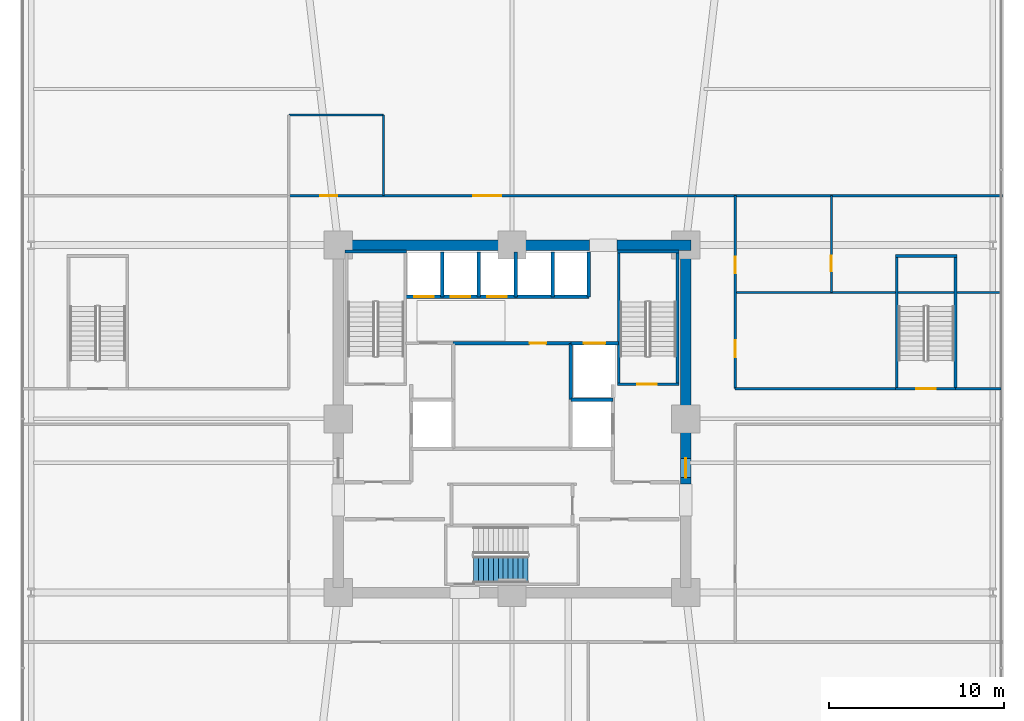
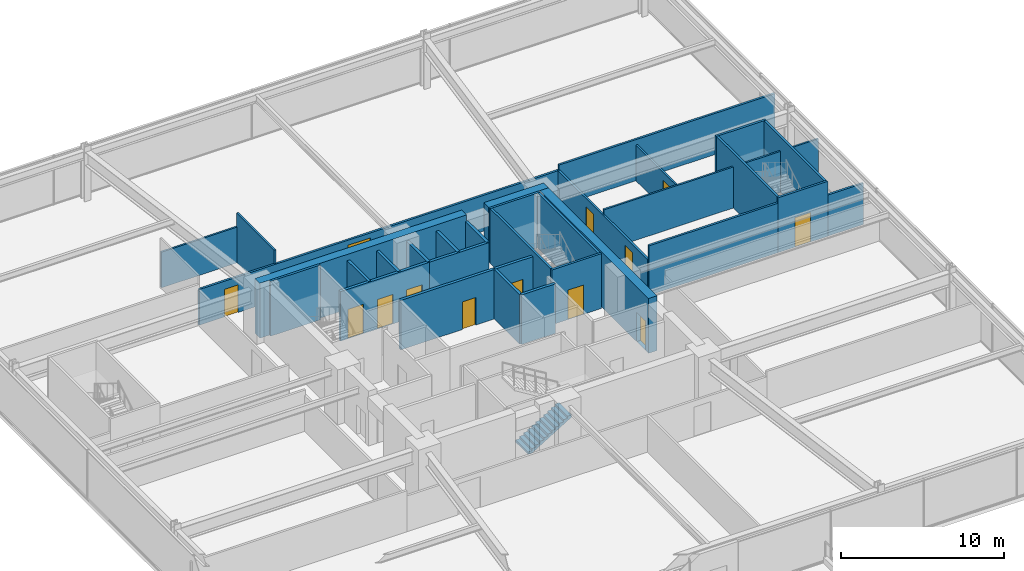
# One storey, part 35 of 39: 32 walls, 13 doors, 1 stair flight, 13 openings, 1 element without a shape of its own.
"""IFC4 building model written with IfcOpenShell, lengths in metres."""

from ifc_helpers import new_model, si_unit, direction, frame, frame_2d, origin, place, context, subcontext, project, spatial, polyline, rectangle, outline, extrude, material, layer, layer_set, type_object, element, fill, aggregate, save


model = new_model("IFC4")

# Units and contexts
model_context = context("Model", 3, precision=1e-05, world=origin(), true_north=direction((0.0, 1.0)))
body_context = subcontext(model_context, "Body", "Model", "MODEL_VIEW")
ifc_project = project(units=[si_unit("LENGTHUNIT", "METRE"), si_unit("AREAUNIT", "SQUARE_METRE"), si_unit("VOLUMEUNIT", "CUBIC_METRE"), si_unit("PLANEANGLEUNIT", "RADIAN"), si_unit("MASSUNIT", "GRAM", prefix="KILO")], contexts=[model_context])

# Site, building, storey
site_placement = place(None, origin())
site = spatial("IfcSite", under=ifc_project, at=site_placement, CompositionType="ELEMENT")
building_placement = place(site_placement, origin())
building = spatial("IfcBuilding", under=site, at=building_placement, Name="Kolvaren Belvedere", CompositionType="ELEMENT")
storey_placement = place(building_placement, frame((0.0, 0.0, 15.199951171875)))
storey = spatial("IfcBuildingStorey", under=building, at=storey_placement, Name="L04", CompositionType="ELEMENT", Elevation=15.199951171875)

# Walls
ifc_material_1 = material(Name="Concrete C60/75", Category="concrete")
ifc_layer_1 = layer(ifc_material_1, 0.60009765625)
ifc_layer_set_1 = layer_set([ifc_layer_1], Name="Concrete C60/75")
wall_type_1 = type_object("IfcWallType", Name="CW-CORE-600", PredefinedType="SHEAR", material=ifc_layer_set_1)
wall_1_placement = place(storey_placement, frame((-10.199951171875, 9.89990234375, 0.0), z_axis=(0.0, 0.0, 1.0), x_axis=(1.0, 0.0, 0.0)))
element("IfcWall", 1, at=wall_1_placement, inside=storey, type_object=wall_type_1, Name="L04 North Core Shear Wall 1", PredefinedType="SHEAR", context=body_context, shape_type="SweptSolid", body=[
    extrude(rectangle(XDim=14.619873046875, YDim=0.60009765625, at=frame_2d((7.31005859375, 0.0))), origin(), (0.0, 0.0, 1.0), 4.10009765625),
])
wall_2_placement = place(storey_placement, frame((5.97998046875, 9.89990234375, 0.0), z_axis=(0.0, 0.0, 1.0), x_axis=(1.0, 0.0, 0.0)))
element("IfcWall", 2, at=wall_2_placement, inside=storey, type_object=wall_type_1, Name="L04 North Core Shear Wall 2", PredefinedType="SHEAR", context=body_context, shape_type="SweptSolid", body=[
    extrude(rectangle(XDim=4.219970703125, YDim=0.60009765625, at=frame_2d((2.10986328125, 0.0))), origin(), (0.0, 0.0, 1.0), 4.10009765625),
])

# Wall, opening, door
wall_3_placement = place(storey_placement, frame((9.89990234375, -3.699951171875, 0.0), z_axis=(0.0, 0.0, 1.0), x_axis=(0.0, 1.0, 0.0)))
wall_3 = element("IfcWall", 3, at=wall_3_placement, inside=storey, type_object=wall_type_1, Name="L04 East Core Shear Wall 2", PredefinedType="SHEAR", context=body_context, shape_type="SweptSolid", body=[
    extrude(rectangle(XDim=13.300048828125, YDim=0.60009765625, at=frame_2d((6.64990234375, 0.0))), origin(), (0.0, 0.0, 1.0), 4.10009765625),
])
opening_1_placement = place(wall_3_placement, frame((0.35009765625, 0.0, 0.0)))
opening_1 = element("IfcOpeningElement", 4, at=opening_1_placement, cuts=wall_3, Name="Opening D-FD90", PredefinedType="OPENING", context=body_context, shape_type="SweptSolid", body=[
    extrude(rectangle(XDim=1.10009765625, YDim=2.199951171875, at=frame_2d((0.550048828125, 1.10009765625))), frame((0.0, 0.31005859375, 0.0), z_axis=(0.0, -1.0, 0.0), x_axis=(1.0, 0.0, 0.0)), (0.0, 0.0, 1.0), 0.6201171875),
])
ifc_material_2 = material(Name="Painted hollow stainless steel", Category="steel")
door_type_1 = type_object("IfcDoorType", Name="DR-FD90-1100", OperationType="NOTDEFINED", PredefinedType="DOOR", material=ifc_material_2)
door_1_placement = place(opening_1_placement, origin())
door_1 = element("IfcDoor", 5, at=door_1_placement, inside=storey, type_object=door_type_1, Name="L04 East Firefighting Lobby Fire Door", OperationType="SINGLE_SWING_RIGHT", OverallHeight=2.199951171875, OverallWidth=1.10009765625, PredefinedType="DOOR", context=body_context, shape_type="SweptSolid", body=[
    extrude(rectangle(XDim=1.10009765625, YDim=2.199951171875, at=frame_2d((0.550048828125, 1.10009765625))), frame((0.0, 0.02490234375, 0.0), z_axis=(0.0, -1.0, 0.0), x_axis=(1.0, 0.0, 0.0)), (0.0, 0.0, 1.0), 0.050048828125),
])
fill(opening_1, door_1)

# Wall
ifc_material_3 = material(Name="Concrete C50/60", Category="concrete")
ifc_layer_2 = layer(ifc_material_3, 0.159912109375)
ifc_layer_set_2 = layer_set([ifc_layer_2], Name="Concrete C50/60")
wall_type_2 = type_object("IfcWallType", Name="CW-STAIR-160", PredefinedType="SHEAR", material=ifc_layer_set_2)
wall_4_placement = place(storey_placement, frame((-9.52001953125, 9.530029296875, 0.0), z_axis=(0.0, 0.0, 1.0), x_axis=(1.0, 0.0, 0.0)))
element("IfcWall", 6, at=wall_4_placement, inside=storey, type_object=wall_type_2, Name="L04 Stair ST-1 North Shear Wall", PredefinedType="SHEAR", context=body_context, shape_type="SweptSolid", body=[
    extrude(rectangle(XDim=3.52001953125, YDim=0.159912109375, at=frame_2d((1.760009765625, 0.0))), origin(), (0.0, 0.0, 1.0), 4.10009765625),
])

# Wall, opening, door
wall_5_placement = place(storey_placement, frame((6.0, 1.969970703125, 0.0), z_axis=(0.0, 0.0, 1.0), x_axis=(1.0, 0.0, 0.0)))
wall_5 = element("IfcWall", 7, at=wall_5_placement, inside=storey, type_object=wall_type_2, Name="L04 Stair ST-2 South Shear Wall", PredefinedType="SHEAR", context=body_context, shape_type="SweptSolid", body=[
    extrude(rectangle(XDim=3.52001953125, YDim=0.159912109375, at=frame_2d((1.760009765625, 0.0))), origin(), (0.0, 0.0, 1.0), 4.10009765625),
])
opening_2_placement = place(wall_5_placement, frame((1.14990234375, 0.0, 0.0)))
opening_2 = element("IfcOpeningElement", 8, at=opening_2_placement, cuts=wall_5, Name="Opening D-FD90", PredefinedType="OPENING", context=body_context, shape_type="SweptSolid", body=[
    extrude(rectangle(XDim=1.10009765625, YDim=2.199951171875, at=frame_2d((0.550048828125, 1.10009765625))), frame((0.0, 0.08984375, 0.0), z_axis=(0.0, -1.0, 0.0), x_axis=(1.0, 0.0, 0.0)), (0.0, 0.0, 1.0), 0.179931640625),
])
door_2_placement = place(opening_2_placement, origin())
door_2 = element("IfcDoor", 9, at=door_2_placement, inside=storey, type_object=door_type_1, Name="L04 Stair ST-2 Fire Door", OperationType="SINGLE_SWING_RIGHT", OverallHeight=2.199951171875, OverallWidth=1.10009765625, PredefinedType="DOOR", context=body_context, shape_type="SweptSolid", body=[
    extrude(rectangle(XDim=1.10009765625, YDim=2.199951171875, at=frame_2d((0.550048828125, 1.10009765625))), frame((0.0, 0.02490234375, 0.0), z_axis=(0.0, -1.0, 0.0), x_axis=(1.0, 0.0, 0.0)), (0.0, 0.0, 1.0), 0.050048828125),
])
fill(opening_2, door_2)

# Walls
wall_6_placement = place(storey_placement, frame((6.0, 9.530029296875, 0.0), z_axis=(0.0, 0.0, 1.0), x_axis=(1.0, 0.0, 0.0)))
element("IfcWall", 10, at=wall_6_placement, inside=storey, type_object=wall_type_2, Name="L04 Stair ST-2 North Shear Wall", PredefinedType="SHEAR", context=body_context, shape_type="SweptSolid", body=[
    extrude(rectangle(XDim=3.52001953125, YDim=0.159912109375, at=frame_2d((1.760009765625, 0.0))), origin(), (0.0, 0.0, 1.0), 4.10009765625),
])
for number, where, z_axis, x_axis, name in (
    (11, (6.080078125, 1.969970703125, 0.0), (0.0, 0.0, 1.0), (0.0, 1.0, 0.0), "L04 Stair ST-2 West Shear Wall"),
    (12, (9.429931640625, 1.969970703125, 0.0), (0.0, 0.0, 1.0), (0.0, 1.0, 0.0), "L04 Stair ST-2 East Shear Wall"),
):
    element("IfcWall", number, at=place(storey_placement, frame(where, z_axis=z_axis, x_axis=x_axis)), inside=storey, type_object=wall_type_2, Name=name, PredefinedType="SHEAR", context=body_context, shape_type="SweptSolid", body=[
        extrude(rectangle(XDim=7.56005859375, YDim=0.159912109375, at=frame_2d((3.780029296875, 0.0))), origin(), (0.0, 0.0, 1.0), 4.10009765625),
    ])

# Wall, opening, door
wall_7_placement = place(storey_placement, frame((21.85009765625, 1.719970703125, 0.0), z_axis=(0.0, 0.0, 1.0), x_axis=(1.0, 0.0, 0.0)))
wall_7 = element("IfcWall", 13, at=wall_7_placement, inside=storey, type_object=wall_type_2, Name="L04 Stair ST-P2 South Shear Wall", PredefinedType="SHEAR", context=body_context, shape_type="SweptSolid", body=[
    extrude(rectangle(XDim=3.510009765625, YDim=0.159912109375, at=frame_2d((1.7548828125, 0.0))), origin(), (0.0, 0.0, 1.0), 4.10009765625),
])
opening_3_placement = place(wall_7_placement, frame((1.199951171875, 0.0, 0.0)))
opening_3 = element("IfcOpeningElement", 14, at=opening_3_placement, cuts=wall_7, Name="Opening D-FD90", PredefinedType="OPENING", context=body_context, shape_type="SweptSolid", body=[
    extrude(rectangle(XDim=1.10009765625, YDim=2.199951171875, at=frame_2d((0.550048828125, 1.10009765625))), frame((0.0, 0.08984375, 0.0), z_axis=(0.0, -1.0, 0.0), x_axis=(1.0, 0.0, 0.0)), (0.0, 0.0, 1.0), 0.179931640625),
])
door_3_placement = place(opening_3_placement, origin())
door_3 = element("IfcDoor", 15, at=door_3_placement, inside=storey, type_object=door_type_1, Name="L04 Podium Stair ST-P2 Exit Door", OperationType="SINGLE_SWING_RIGHT", OverallHeight=2.199951171875, OverallWidth=1.10009765625, PredefinedType="DOOR", context=body_context, shape_type="SweptSolid", body=[
    extrude(rectangle(XDim=1.10009765625, YDim=2.199951171875, at=frame_2d((0.550048828125, 1.10009765625))), frame((0.0, 0.02490234375, 0.0), z_axis=(0.0, -1.0, 0.0), x_axis=(1.0, 0.0, 0.0)), (0.0, 0.0, 1.0), 0.050048828125),
])
fill(opening_3, door_3)

# Walls
wall_8_placement = place(storey_placement, frame((21.85009765625, 9.280029296875, 0.0), z_axis=(0.0, 0.0, 1.0), x_axis=(1.0, 0.0, 0.0)))
element("IfcWall", 16, at=wall_8_placement, inside=storey, type_object=wall_type_2, Name="L04 Stair ST-P2 North Shear Wall", PredefinedType="SHEAR", context=body_context, shape_type="SweptSolid", body=[
    extrude(rectangle(XDim=3.510009765625, YDim=0.159912109375, at=frame_2d((1.7548828125, 0.0))), origin(), (0.0, 0.0, 1.0), 4.10009765625),
])
for number, where, z_axis, x_axis, name in (
    (17, (21.929931640625, 1.719970703125, 0.0), (0.0, 0.0, 1.0), (0.0, 1.0, 0.0), "L04 Stair ST-P2 West Shear Wall"),
    (18, (25.280029296875, 1.719970703125, 0.0), (0.0, 0.0, 1.0), (0.0, 1.0, 0.0), "L04 Stair ST-P2 East Shear Wall"),
):
    element("IfcWall", number, at=place(storey_placement, frame(where, z_axis=z_axis, x_axis=x_axis)), inside=storey, type_object=wall_type_2, Name=name, PredefinedType="SHEAR", context=body_context, shape_type="SweptSolid", body=[
        extrude(rectangle(XDim=7.56005859375, YDim=0.159912109375, at=frame_2d((3.780029296875, 0.0))), origin(), (0.0, 0.0, 1.0), 4.10009765625),
    ])

# Wall, openings, doors
ifc_material_4 = material(Name="Gypsum fire-rated partition assembly", Category="gypsum")
ifc_layer_3 = layer(ifc_material_4, 0.14990234375)
ifc_layer_set_3 = layer_set([ifc_layer_3], Name="Gypsum fire-rated partition assembly")
wall_type_3 = type_object("IfcWallType", Name="WL-CORR-150", PredefinedType="PARTITIONING", material=ifc_layer_set_3)
wall_9_placement = place(storey_placement, frame((-12.719970703125, 12.719970703125, 0.0), z_axis=(0.0, 0.0, 1.0), x_axis=(1.0, 0.0, 0.0)))
wall_9 = element("IfcWall", 19, at=wall_9_placement, inside=storey, type_object=wall_type_3, Name="L04 North Corridor Wall", PredefinedType="PARTITIONING", context=body_context, shape_type="SweptSolid", body=[
    extrude(rectangle(XDim=25.43994140625, YDim=0.14990234375, at=frame_2d((12.719970703125, 0.0))), origin(), (0.0, 0.0, 1.0), 2.674072265625),
])
opening_4_placement = place(wall_9_placement, frame((1.800048828125, 0.0, 0.0)))
opening_4 = element("IfcOpeningElement", 20, at=opening_4_placement, cuts=wall_9, Name="Opening D-INT95", PredefinedType="OPENING", context=body_context, shape_type="SweptSolid", body=[
    extrude(rectangle(XDim=0.949951171875, YDim=2.06005859375, at=frame_2d((0.47509765625, 1.030029296875))), frame((0.0, 0.0849609375, 0.0), z_axis=(0.0, -1.0, 0.0), x_axis=(1.0, 0.0, 0.0)), (0.0, 0.0, 1.0), 0.169921875),
])
opening_5_placement = place(wall_9_placement, frame((10.5, 0.0, 0.0)))
opening_5 = element("IfcOpeningElement", 21, at=opening_5_placement, cuts=wall_9, Name="Opening D-GL16", PredefinedType="OPENING", context=body_context, shape_type="SweptSolid", body=[
    extrude(rectangle(XDim=1.60009765625, YDim=2.300048828125, at=frame_2d((0.800048828125, 1.14990234375))), frame((0.0, 0.0849609375, 0.0), z_axis=(0.0, -1.0, 0.0), x_axis=(1.0, 0.0, 0.0)), (0.0, 0.0, 1.0), 0.169921875),
])
ifc_material_5 = material(Name="Anodised pale-metal aluminium & safety glass", Category="aluminium")
door_type_2 = type_object("IfcDoorType", Name="DR-GLAZ-1600", OperationType="DOUBLE_DOOR_SINGLE_SWING", PredefinedType="DOOR", material=ifc_material_5)
door_4_placement = place(opening_5_placement, origin())
door_4 = element("IfcDoor", 22, at=door_4_placement, inside=storey, type_object=door_type_2, Name="L04 North Panoramic Lounge Door", OperationType="DOUBLE_DOOR_SINGLE_SWING", OverallHeight=2.300048828125, OverallWidth=1.60009765625, PredefinedType="DOOR", context=body_context, shape_type="SweptSolid", body=[
    extrude(rectangle(XDim=1.60009765625, YDim=2.300048828125, at=frame_2d((0.800048828125, 1.14990234375))), frame((0.0, 0.02490234375, 0.0), z_axis=(0.0, -1.0, 0.0), x_axis=(1.0, 0.0, 0.0)), (0.0, 0.0, 1.0), 0.050048828125),
])
fill(opening_5, door_4)
ifc_material_6 = material(Name="Stained Pacific white oak", Category="timber")
door_type_3 = type_object("IfcDoorType", Name="DR-INT-950", OperationType="NOTDEFINED", PredefinedType="DOOR", material=ifc_material_6)
door_5_placement = place(opening_4_placement, origin())
door_5 = element("IfcDoor", 23, at=door_5_placement, inside=storey, type_object=door_type_3, Name="L04 Accessible Spa Washroom Door", OperationType="SINGLE_SWING_LEFT", OverallHeight=2.06005859375, OverallWidth=0.949951171875, PredefinedType="DOOR", context=body_context, shape_type="SweptSolid", body=[
    extrude(rectangle(XDim=0.949951171875, YDim=2.06005859375, at=frame_2d((0.47509765625, 1.030029296875))), frame((0.0, 0.02490234375, 0.0), z_axis=(0.0, -1.0, 0.0), x_axis=(1.0, 0.0, 0.0)), (0.0, 0.0, 1.0), 0.050048828125),
])
fill(opening_4, door_5)

wall_10_placement = place(storey_placement, frame((12.719970703125, 1.719970703125, 0.0), z_axis=(0.0, 0.0, 1.0), x_axis=(0.0, 1.0, 0.0)))
wall_10 = element("IfcWall", 24, at=wall_10_placement, inside=storey, type_object=wall_type_3, Name="L04 East Corridor Wall N", PredefinedType="PARTITIONING", context=body_context, shape_type="SweptSolid", body=[
    extrude(rectangle(XDim=11.0, YDim=0.14990234375, at=frame_2d((5.5, 0.0))), origin(), (0.0, 0.0, 1.0), 2.674072265625),
])
opening_6_placement = place(wall_10_placement, frame((6.580078125, 0.0, 0.0)))
opening_6 = element("IfcOpeningElement", 25, at=opening_6_placement, cuts=wall_10, Name="Opening D-INT95", PredefinedType="OPENING", context=body_context, shape_type="SweptSolid", body=[
    extrude(rectangle(XDim=0.949951171875, YDim=2.06005859375, at=frame_2d((0.47509765625, 1.030029296875))), frame((0.0, 0.0849609375, 0.0), z_axis=(0.0, -1.0, 0.0), x_axis=(1.0, 0.0, 0.0)), (0.0, 0.0, 1.0), 0.169921875),
])
opening_7_placement = place(wall_10_placement, frame((1.800048828125, 0.0, 0.0)))
opening_7 = element("IfcOpeningElement", 26, at=opening_7_placement, cuts=wall_10, Name="Opening D-INT95", PredefinedType="OPENING", context=body_context, shape_type="SweptSolid", body=[
    extrude(rectangle(XDim=0.949951171875, YDim=2.06005859375, at=frame_2d((0.47509765625, 1.030029296875))), frame((0.0, 0.0849609375, 0.0), z_axis=(0.0, -1.0, 0.0), x_axis=(1.0, 0.0, 0.0)), (0.0, 0.0, 1.0), 0.169921875),
])
door_6_placement = place(opening_6_placement, origin())
door_6 = element("IfcDoor", 27, at=door_6_placement, inside=storey, type_object=door_type_3, Name="L04 Public Spa Washroom Door", OperationType="SINGLE_SWING_RIGHT", OverallHeight=2.06005859375, OverallWidth=0.949951171875, PredefinedType="DOOR", context=body_context, shape_type="SweptSolid", body=[
    extrude(rectangle(XDim=0.949951171875, YDim=2.06005859375, at=frame_2d((0.47509765625, 1.030029296875))), frame((0.0, 0.02490234375, 0.0), z_axis=(0.0, -1.0, 0.0), x_axis=(1.0, 0.0, 0.0)), (0.0, 0.0, 1.0), 0.050048828125),
])
fill(opening_6, door_6)
door_7_placement = place(opening_7_placement, origin())
door_7 = element("IfcDoor", 28, at=door_7_placement, inside=storey, type_object=door_type_3, Name="L04 East Reception Lounge Door", OperationType="SINGLE_SWING_LEFT", OverallHeight=2.06005859375, OverallWidth=0.949951171875, PredefinedType="DOOR", context=body_context, shape_type="SweptSolid", body=[
    extrude(rectangle(XDim=0.949951171875, YDim=2.06005859375, at=frame_2d((0.47509765625, 1.030029296875))), frame((0.0, 0.02490234375, 0.0), z_axis=(0.0, -1.0, 0.0), x_axis=(1.0, 0.0, 0.0)), (0.0, 0.0, 1.0), 0.050048828125),
])
fill(opening_7, door_7)

# Walls
wall_11_placement = place(storey_placement, frame((12.719970703125, 1.719970703125, 0.0), z_axis=(0.0, 0.0, 1.0), x_axis=(1.0, 0.0, 0.0)))
element("IfcWall", 29, at=wall_11_placement, inside=storey, type_object=wall_type_3, Name="L04 East Stair Spur North Wall", PredefinedType="PARTITIONING", context=body_context, shape_type="SweptSolid", body=[
    extrude(rectangle(XDim=9.2099609375, YDim=0.14990234375, at=frame_2d((4.60498046875, 0.0))), origin(), (0.0, 0.0, 1.0), 3.699951171875),
])
wall_12_placement = place(storey_placement, frame((25.280029296875, 1.719970703125, 0.0), z_axis=(0.0, 0.0, 1.0), x_axis=(1.0, 0.0, 0.0)))
element("IfcWall", 30, at=wall_12_placement, inside=storey, type_object=wall_type_3, Name="L04 East Stair Spur End Wall", PredefinedType="PARTITIONING", context=body_context, shape_type="SweptSolid", body=[
    extrude(rectangle(XDim=2.599853515625, YDim=0.14990234375, at=frame_2d((1.2998046875, 0.0))), origin(), (0.0, 0.0, 1.0), 3.069091796875),
])
wall_13_placement = place(storey_placement, frame((12.719970703125, 12.719970703125, 0.0), z_axis=(0.0, 0.0, 1.0), x_axis=(1.0, 0.0, 0.0)))
element("IfcWall", 31, at=wall_13_placement, inside=storey, type_object=wall_type_3, Name="L04 Sector Wall PW-L04-QNE", PredefinedType="PARTITIONING", context=body_context, shape_type="SweptSolid", body=[
    extrude(rectangle(XDim=15.260009765625, YDim=0.14990234375, at=frame_2d((7.6298828125, 0.0))), origin(), (0.0, 0.0, 1.0), 3.069091796875),
])
ifc_material_7 = material(Name="Concrete C50/60", Category="concrete")
ifc_layer_4 = layer(ifc_material_7, 0.199951171875)
ifc_layer_set_4 = layer_set([ifc_layer_4], Name="Concrete C50/60")
wall_type_4 = type_object("IfcWallType", Name="WL-SHAFT-200", PredefinedType="SOLIDWALL", material=ifc_layer_set_4)
wall_14_placement = place(storey_placement, frame((3.35009765625, 1.10009765625, 0.0), z_axis=(0.0, 0.0, 1.0), x_axis=(1.0, 0.0, 0.0)))
element("IfcWall", 32, at=wall_14_placement, inside=storey, type_object=wall_type_4, Name="L04 FSAE FS2 North Wall", PredefinedType="SOLIDWALL", context=body_context, shape_type="SweptSolid", body=[
    extrude(rectangle(XDim=2.39990234375, YDim=0.199951171875, at=frame_2d((1.199951171875, 0.0))), origin(), (0.0, 0.0, 1.0), 3.699951171875),
])

# Wall, opening, door
wall_15_placement = place(storey_placement, frame((3.35009765625, 4.300048828125, 0.0), z_axis=(0.0, 0.0, 1.0), x_axis=(1.0, 0.0, 0.0)))
wall_15 = element("IfcWall", 33, at=wall_15_placement, inside=storey, type_object=wall_type_4, Name="L04 Service Lift SV1 Front Wall", PredefinedType="SOLIDWALL", context=body_context, shape_type="SweptSolid", body=[
    extrude(rectangle(XDim=2.72998046875, YDim=0.199951171875, at=frame_2d((1.364990234375, 0.0))), origin(), (0.0, 0.0, 1.0), 3.699951171875),
])
opening_8_placement = place(wall_15_placement, frame((0.75, 0.0, 0.0)))
opening_8 = element("IfcOpeningElement", 34, at=opening_8_placement, cuts=wall_15, Name="Opening LD-12", PredefinedType="OPENING", context=body_context, shape_type="SweptSolid", body=[
    extrude(rectangle(XDim=1.199951171875, YDim=2.25, at=frame_2d((0.60009765625, 1.125))), frame((0.0, 0.10986328125, 0.0), z_axis=(0.0, -1.0, 0.0), x_axis=(1.0, 0.0, 0.0)), (0.0, 0.0, 1.0), 0.219970703125),
])
ifc_material_8 = material(Name="Brushed stainless steel", Category="steel")
door_type_4 = type_object("IfcDoorType", Name="DR-LIFT-1200", OperationType="DOUBLE_DOOR_SLIDING", PredefinedType="DOOR", material=ifc_material_8)
door_8_placement = place(opening_8_placement, origin())
door_8 = element("IfcDoor", 35, at=door_8_placement, inside=storey, type_object=door_type_4, Name="L04 Service Lift SV1 Landing Door", OperationType="DOUBLE_DOOR_SLIDING", OverallHeight=2.25, OverallWidth=1.199951171875, PredefinedType="DOOR", context=body_context, shape_type="SweptSolid", body=[
    extrude(rectangle(XDim=1.199951171875, YDim=2.25, at=frame_2d((0.60009765625, 1.125))), frame((0.0, 0.02490234375, 0.0), z_axis=(0.0, -1.0, 0.0), x_axis=(1.0, 0.0, 0.0)), (0.0, 0.0, 1.0), 0.050048828125),
])
fill(opening_8, door_8)

# Wall, openings, doors
wall_16_placement = place(storey_placement, frame((-6.080078125, 6.949951171875, 0.0), z_axis=(0.0, 0.0, 1.0), x_axis=(1.0, 0.0, 0.0)))
wall_16 = element("IfcWall", 36, at=wall_16_placement, inside=storey, type_object=wall_type_4, Name="L04 Low-Rise Lift Bank Front Wall", PredefinedType="SOLIDWALL", context=body_context, shape_type="SweptSolid", body=[
    extrude(rectangle(XDim=6.300048828125, YDim=0.199951171875, at=frame_2d((3.14990234375, 0.0))), origin(), (0.0, 0.0, 1.0), 3.699951171875),
])
opening_9_placement = place(wall_16_placement, frame((0.52001953125, 0.0, 0.0)))
opening_9 = element("IfcOpeningElement", 37, at=opening_9_placement, cuts=wall_16, Name="Opening LD-11", PredefinedType="OPENING", context=body_context, shape_type="SweptSolid", body=[
    extrude(rectangle(XDim=1.10009765625, YDim=2.199951171875, at=frame_2d((0.550048828125, 1.10009765625))), frame((0.0, 0.10986328125, 0.0), z_axis=(0.0, -1.0, 0.0), x_axis=(1.0, 0.0, 0.0)), (0.0, 0.0, 1.0), 0.219970703125),
])
opening_10_placement = place(wall_16_placement, frame((2.60009765625, 0.0, 0.0)))
opening_10 = element("IfcOpeningElement", 38, at=opening_10_placement, cuts=wall_16, Name="Opening LD-11", PredefinedType="OPENING", context=body_context, shape_type="SweptSolid", body=[
    extrude(rectangle(XDim=1.10009765625, YDim=2.199951171875, at=frame_2d((0.550048828125, 1.10009765625))), frame((0.0, 0.10986328125, 0.0), z_axis=(0.0, -1.0, 0.0), x_axis=(1.0, 0.0, 0.0)), (0.0, 0.0, 1.0), 0.219970703125),
])
opening_11_placement = place(wall_16_placement, frame((4.679931640625, 0.0, 0.0)))
opening_11 = element("IfcOpeningElement", 39, at=opening_11_placement, cuts=wall_16, Name="Opening LD-11", PredefinedType="OPENING", context=body_context, shape_type="SweptSolid", body=[
    extrude(rectangle(XDim=1.10009765625, YDim=2.199951171875, at=frame_2d((0.550048828125, 1.10009765625))), frame((0.0, 0.10986328125, 0.0), z_axis=(0.0, -1.0, 0.0), x_axis=(1.0, 0.0, 0.0)), (0.0, 0.0, 1.0), 0.219970703125),
])
ifc_material_9 = material(Name="Brushed stainless steel", Category="steel")
door_type_5 = type_object("IfcDoorType", Name="DR-LIFT-1100", OperationType="DOUBLE_DOOR_SLIDING", PredefinedType="DOOR", material=ifc_material_9)
door_9_placement = place(opening_9_placement, origin())
door_9 = element("IfcDoor", 40, at=door_9_placement, inside=storey, type_object=door_type_5, Name="L04 Passenger Lift P1 Landing Door", OperationType="DOUBLE_DOOR_SLIDING", OverallHeight=2.199951171875, OverallWidth=1.10009765625, PredefinedType="DOOR", context=body_context, shape_type="SweptSolid", body=[
    extrude(rectangle(XDim=1.10009765625, YDim=2.199951171875, at=frame_2d((0.550048828125, 1.10009765625))), frame((0.0, 0.02490234375, 0.0), z_axis=(0.0, -1.0, 0.0), x_axis=(1.0, 0.0, 0.0)), (0.0, 0.0, 1.0), 0.050048828125),
])
fill(opening_9, door_9)
door_10_placement = place(opening_10_placement, origin())
door_10 = element("IfcDoor", 41, at=door_10_placement, inside=storey, type_object=door_type_5, Name="L04 Passenger Lift P2 Landing Door", OperationType="DOUBLE_DOOR_SLIDING", OverallHeight=2.199951171875, OverallWidth=1.10009765625, PredefinedType="DOOR", context=body_context, shape_type="SweptSolid", body=[
    extrude(rectangle(XDim=1.10009765625, YDim=2.199951171875, at=frame_2d((0.550048828125, 1.10009765625))), frame((0.0, 0.02490234375, 0.0), z_axis=(0.0, -1.0, 0.0), x_axis=(1.0, 0.0, 0.0)), (0.0, 0.0, 1.0), 0.050048828125),
])
fill(opening_10, door_10)
door_11_placement = place(opening_11_placement, origin())
door_11 = element("IfcDoor", 42, at=door_11_placement, inside=storey, type_object=door_type_5, Name="L04 Passenger Lift P3 Landing Door", OperationType="DOUBLE_DOOR_SLIDING", OverallHeight=2.199951171875, OverallWidth=1.10009765625, PredefinedType="DOOR", context=body_context, shape_type="SweptSolid", body=[
    extrude(rectangle(XDim=1.10009765625, YDim=2.199951171875, at=frame_2d((0.550048828125, 1.10009765625))), frame((0.0, 0.02490234375, 0.0), z_axis=(0.0, -1.0, 0.0), x_axis=(1.0, 0.0, 0.0)), (0.0, 0.0, 1.0), 0.050048828125),
])
fill(opening_11, door_11)

# Walls
for number, where, z_axis, x_axis, name in (
    (43, (-3.969970703125, 6.949951171875, 0.0), (0.0, 0.0, 1.0), (0.0, 1.0, 0.0), "L04 Low-Rise Hoistway Divider 1"),
    (44, (-1.889892578125, 6.949951171875, 0.0), (0.0, 0.0, 1.0), (0.0, 1.0, 0.0), "L04 Low-Rise Hoistway Divider 2"),
    (45, (0.2099609375, 6.949951171875, 0.0), (0.0, 0.0, 1.0), (0.0, 1.0, 0.0), "L04 Low-Rise Hoistway Divider 3"),
):
    element("IfcWall", number, at=place(storey_placement, frame(where, z_axis=z_axis, x_axis=x_axis)), inside=storey, type_object=wall_type_4, Name=name, PredefinedType="SOLIDWALL", context=body_context, shape_type="SweptSolid", body=[
        extrude(rectangle(XDim=2.570068359375, YDim=0.199951171875, at=frame_2d((1.28515625, 0.0))), origin(), (0.0, 0.0, 1.0), 3.699951171875),
    ])
wall_17_placement = place(storey_placement, frame((0.219970703125, 6.949951171875, 0.0), z_axis=(0.0, 0.0, 1.0), x_axis=(1.0, 0.0, 0.0)))
element("IfcWall", 46, at=wall_17_placement, inside=storey, type_object=wall_type_4, Name="L04 Express Shuttle Hoistway Wall", PredefinedType="SOLIDWALL", context=body_context, shape_type="SweptSolid", body=[
    extrude(rectangle(XDim=4.179931640625, YDim=0.199951171875, at=frame_2d((2.08984375, 0.0))), origin(), (0.0, 0.0, 1.0), 3.699951171875),
])
for number, where, z_axis, x_axis, name in (
    (47, (4.3798828125, 6.949951171875, 0.0), (0.0, 0.0, 1.0), (0.0, 1.0, 0.0), "L04 Express Shuttle East Wall"),
    (48, (2.31005859375, 6.949951171875, 0.0), (0.0, 0.0, 1.0), (0.0, 1.0, 0.0), "L04 Express Shuttle Divider"),
):
    element("IfcWall", number, at=place(storey_placement, frame(where, z_axis=z_axis, x_axis=x_axis)), inside=storey, type_object=wall_type_4, Name=name, PredefinedType="SOLIDWALL", context=body_context, shape_type="SweptSolid", body=[
        extrude(rectangle(XDim=2.570068359375, YDim=0.199951171875, at=frame_2d((1.28515625, 0.0))), origin(), (0.0, 0.0, 1.0), 3.699951171875),
    ])

# Wall, opening, door
wall_18_placement = place(storey_placement, frame((-3.35009765625, 4.300048828125, 0.0), z_axis=(0.0, 0.0, 1.0), x_axis=(1.0, 0.0, 0.0)))
wall_18 = element("IfcWall", 49, at=wall_18_placement, inside=storey, type_object=wall_type_4, Name="L04 Central Core Room North Wall", PredefinedType="SOLIDWALL", context=body_context, shape_type="SweptSolid", body=[
    extrude(rectangle(XDim=6.7001953125, YDim=0.199951171875, at=frame_2d((3.35009765625, 0.0))), origin(), (0.0, 0.0, 1.0), 3.699951171875),
])
opening_12_placement = place(wall_18_placement, frame((4.35009765625, 0.0, 0.0)))
opening_12 = element("IfcOpeningElement", 50, at=opening_12_placement, cuts=wall_18, Name="Opening D-FD60", PredefinedType="OPENING", context=body_context, shape_type="SweptSolid", body=[
    extrude(rectangle(XDim=0.949951171875, YDim=2.06005859375, at=frame_2d((0.47509765625, 1.030029296875))), frame((0.0, 0.10986328125, 0.0), z_axis=(0.0, -1.0, 0.0), x_axis=(1.0, 0.0, 0.0)), (0.0, 0.0, 1.0), 0.219970703125),
])
ifc_material_10 = material(Name="Acoustic white-oak fire door leaf", Category="timber")
door_type_6 = type_object("IfcDoorType", Name="DR-FD60-950", OperationType="NOTDEFINED", PredefinedType="DOOR", material=ifc_material_10)
door_12_placement = place(opening_12_placement, origin())
door_12 = element("IfcDoor", 51, at=door_12_placement, inside=storey, type_object=door_type_6, Name="L04 Central Core Controls Door", OperationType="SINGLE_SWING_LEFT", OverallHeight=2.06005859375, OverallWidth=0.949951171875, PredefinedType="DOOR", context=body_context, shape_type="SweptSolid", body=[
    extrude(rectangle(XDim=0.949951171875, YDim=2.06005859375, at=frame_2d((0.47509765625, 1.030029296875))), frame((0.0, 0.02490234375, 0.0), z_axis=(0.0, -1.0, 0.0), x_axis=(1.0, 0.0, 0.0)), (0.0, 0.0, 1.0), 0.050048828125),
])
fill(opening_12, door_12)

# Walls
wall_19_placement = place(storey_placement, frame((3.35009765625, 1.10009765625, 0.0), z_axis=(0.0, 0.0, 1.0), x_axis=(0.0, 1.0, 0.0)))
element("IfcWall", 52, at=wall_19_placement, inside=storey, type_object=wall_type_4, Name="L04 Central Core Room East Wall", PredefinedType="SOLIDWALL", context=body_context, shape_type="SweptSolid", body=[
    extrude(rectangle(XDim=3.199951171875, YDim=0.199951171875, at=frame_2d((1.60009765625, 0.0))), origin(), (0.0, 0.0, 1.0), 3.699951171875),
])
ifc_material_11 = material(Name="Moisture-resistant gypsum partition", Category="gypsum")
ifc_layer_5 = layer(ifc_material_11, 0.125)
ifc_layer_set_5 = layer_set([ifc_layer_5], Name="Moisture-resistant gypsum partition")
wall_type_5 = type_object("IfcWallType", Name="WL-WET-125", PredefinedType="PARTITIONING", material=ifc_layer_set_5)
wall_20_placement = place(storey_placement, frame((12.719970703125, 7.199951171875, 0.0), z_axis=(0.0, 0.0, 1.0), x_axis=(1.0, 0.0, 0.0)))
element("IfcWall", 53, at=wall_20_placement, inside=storey, type_object=wall_type_5, Name="L04 East Washroom Wall", PredefinedType="PARTITIONING", context=body_context, shape_type="SweptSolid", body=[
    extrude(rectangle(XDim=15.159912109375, YDim=0.125, at=frame_2d((7.580078125, 0.0))), origin(), (0.0, 0.0, 1.0), 3.069091796875),
])

# Wall, opening, door
wall_21_placement = place(storey_placement, frame((18.199951171875, 7.199951171875, 0.0), z_axis=(0.0, 0.0, 1.0), x_axis=(0.0, 1.0, 0.0)))
wall_21 = element("IfcWall", 54, at=wall_21_placement, inside=storey, type_object=wall_type_5, Name="L04 East Washroom Back Wall", PredefinedType="PARTITIONING", context=body_context, shape_type="SweptSolid", body=[
    extrude(rectangle(XDim=5.52001953125, YDim=0.125, at=frame_2d((2.760009765625, 0.0))), origin(), (0.0, 0.0, 1.0), 2.674072265625),
])
opening_13_placement = place(wall_21_placement, frame((1.199951171875, 0.0, 0.0)))
opening_13 = element("IfcOpeningElement", 55, at=opening_13_placement, cuts=wall_21, Name="Opening D-INT90", PredefinedType="OPENING", context=body_context, shape_type="SweptSolid", body=[
    extrude(rectangle(XDim=0.89990234375, YDim=2.06005859375, at=frame_2d((0.449951171875, 1.030029296875))), frame((0.0, 0.072509765625, 0.0), z_axis=(0.0, -1.0, 0.0), x_axis=(1.0, 0.0, 0.0)), (0.0, 0.0, 1.0), 0.14501953125),
])
ifc_material_12 = material(Name="Stained Pacific white oak", Category="timber")
door_type_7 = type_object("IfcDoorType", Name="DR-INT-900", OperationType="NOTDEFINED", PredefinedType="DOOR", material=ifc_material_12)
door_13_placement = place(opening_13_placement, origin())
door_13 = element("IfcDoor", 56, at=door_13_placement, inside=storey, type_object=door_type_7, Name="L04 Hospitality Service Pantry Door", OperationType="SINGLE_SWING_LEFT", OverallHeight=2.06005859375, OverallWidth=0.89990234375, PredefinedType="DOOR", context=body_context, shape_type="SweptSolid", body=[
    extrude(rectangle(XDim=0.89990234375, YDim=2.06005859375, at=frame_2d((0.449951171875, 1.030029296875))), frame((0.0, 0.02490234375, 0.0), z_axis=(0.0, -1.0, 0.0), x_axis=(1.0, 0.0, 0.0)), (0.0, 0.0, 1.0), 0.050048828125),
])
fill(opening_13, door_13)

# Walls
wall_22_placement = place(storey_placement, frame((-7.320068359375, 12.719970703125, 0.0), z_axis=(0.0, 0.0, 1.0), x_axis=(0.0, 1.0, 0.0)))
element("IfcWall", 57, at=wall_22_placement, inside=storey, type_object=wall_type_5, Name="L04 Accessible WC East Wall", PredefinedType="PARTITIONING", context=body_context, shape_type="SweptSolid", body=[
    extrude(rectangle(XDim=4.60009765625, YDim=0.125, at=frame_2d((2.300048828125, 0.0))), origin(), (0.0, 0.0, 1.0), 3.699951171875),
])
wall_23_placement = place(storey_placement, frame((-12.719970703125, 17.320068359375, 0.0), z_axis=(0.0, 0.0, 1.0), x_axis=(1.0, 0.0, 0.0)))
element("IfcWall", 58, at=wall_23_placement, inside=storey, type_object=wall_type_5, Name="L04 Accessible WC North Wall", PredefinedType="PARTITIONING", context=body_context, shape_type="SweptSolid", body=[
    extrude(rectangle(XDim=5.39990234375, YDim=0.125, at=frame_2d((2.699951171875, 0.0))), origin(), (0.0, 0.0, 1.0), 2.674072265625),
])

# Stair, stair flight
ifc_material_13 = material(Name="Concrete C50/60", Category="concrete")
stair_type = type_object("IfcStairType", Name="ST-CORE-1520", PredefinedType="HALF_TURN_STAIR", material=ifc_material_13)
stair_placement = place(storey_placement, origin())
stair = element("IfcStair", 59, at=stair_placement, inside=storey, type_object=stair_type, Name="L04 Protected Exit Stair ST-3", PredefinedType="HALF_TURN_STAIR")
ifc_material_14 = material(Name="Concrete C50/60", Category="concrete")
stair_flight_type = type_object("IfcStairFlightType", Name="SF-STR-1520", PredefinedType="STRAIGHT", material=ifc_material_14)
stair_flight_placement = place(storey_placement, frame((-2.179931640625, -8.590087890625, 0.0), z_axis=(0.0, 0.0, 1.0), x_axis=(1.0, 0.0, 0.0)))
stair_flight = element("IfcStairFlight", 60, at=stair_flight_placement, type_object=stair_flight_type, Name="ST-3 flight 1", NumberOfRisers=12, NumberOfTreads=11, PredefinedType="STRAIGHT", RiserHeight=0.170833333, TreadLength=0.28, context=body_context, shape_type="SweptSolid", body=[
    extrude(outline(polyline([(0.0, 0.0), (0.0, 0.1708984375), (0.280029296875, 0.1708984375), (0.280029296875, 0.341552734375), (0.56005859375, 0.341552734375), (0.56005859375, 0.512451171875), (0.840087890625, 0.512451171875), (0.840087890625, 0.683349609375), (1.1201171875, 0.683349609375), (1.1201171875, 0.854248046875), (1.39990234375, 0.854248046875), (1.39990234375, 1.02490234375), (1.679931640625, 1.02490234375), (1.679931640625, 1.19580078125), (1.9599609375, 1.19580078125), (1.9599609375, 1.36669921875), (2.239990234375, 1.36669921875), (2.239990234375, 1.53759765625), (2.52001953125, 1.53759765625), (2.52001953125, 1.708251953125), (2.800048828125, 1.708251953125), (2.800048828125, 1.879150390625), (3.080078125, 1.879150390625), (3.080078125, 2.050048828125), (3.080078125, 1.70361328125), (0.287841796875, 0.0), (0.0, 0.0)])), frame((0.0, 0.760009765625, 0.0), z_axis=(0.0, -1.0, 0.0), x_axis=(1.0, 0.0, 0.0)), (0.0, 0.0, 1.0), 1.52001953125),
])
aggregate(stair, [stair_flight])

save(model, "model.ifc")
